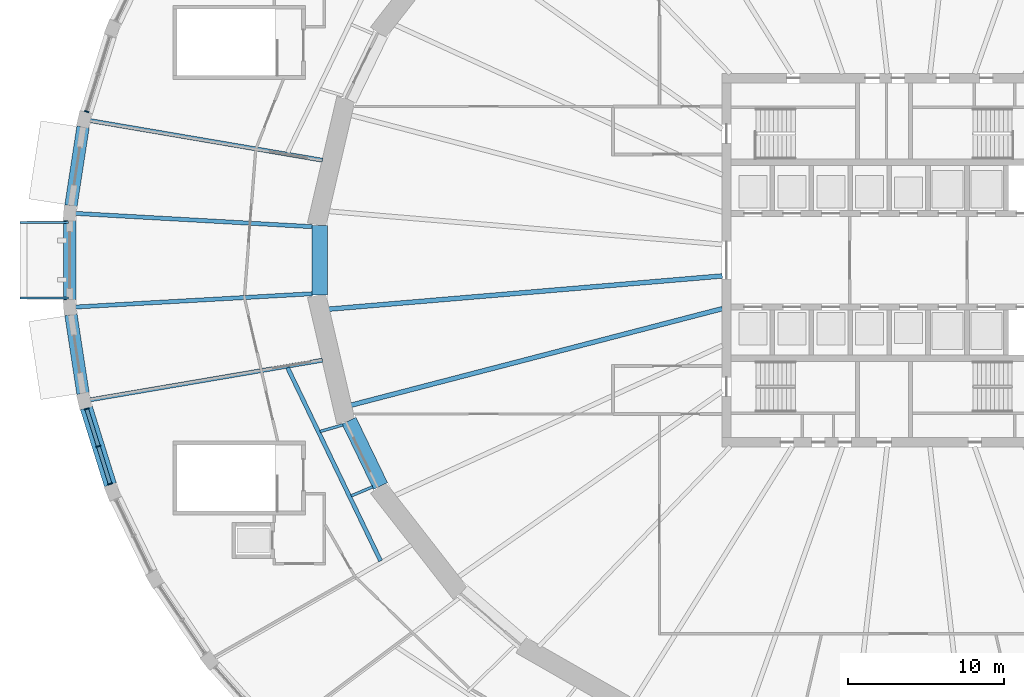
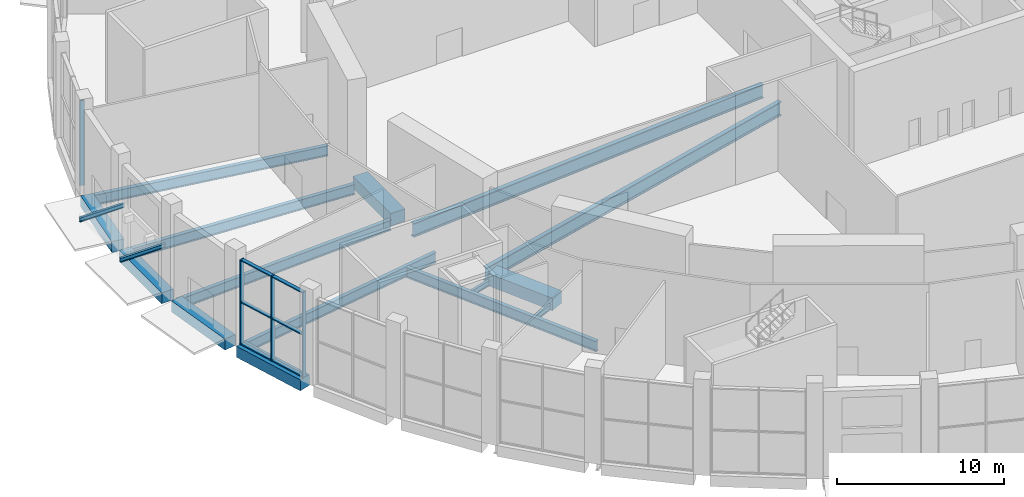
# One storey, part 4 of 33: 17 beams, 10 members, 2 elements without a shape of their own.
"""IFC4 building model written with IfcOpenShell, lengths in metres."""

from ifc_helpers import new_model, si_unit, direction, frame, origin, origin_2d, place, context, subcontext, project, spatial, rectangle, i_section, extrude, material, material_profile, profile_set, type_object, element, aggregate, save


model = new_model("IFC4")

# Units and contexts
model_context = context("Model", 3, precision=1e-05, world=origin(), true_north=direction((0.0, 1.0)))
body_context = subcontext(model_context, "Body", "Model", "MODEL_VIEW")
ifc_project = project(units=[si_unit("LENGTHUNIT", "METRE"), si_unit("AREAUNIT", "SQUARE_METRE"), si_unit("VOLUMEUNIT", "CUBIC_METRE"), si_unit("PLANEANGLEUNIT", "RADIAN"), si_unit("MASSUNIT", "GRAM", prefix="KILO")], contexts=[model_context])

# Site, building, storey
site_placement = place(None, origin())
site = spatial("IfcSite", under=ifc_project, at=site_placement, CompositionType="ELEMENT")
building_placement = place(site_placement, origin())
building = spatial("IfcBuilding", under=site, at=building_placement, Name="Halqa Exchange Tower", CompositionType="ELEMENT")
storey_placement = place(building_placement, origin())
storey = spatial("IfcBuildingStorey", under=building, at=storey_placement, Name="L00", CompositionType="ELEMENT", Elevation=0.0)

# Beams
ifc_material_1 = material(Name="Steel S355", Category="steel")
ifc_material_profile_1 = material_profile(ifc_material_1, i_section(OverallWidth=0.14990234375, OverallDepth=0.300048828125, WebThickness=0.007080078125, FlangeThickness=0.0107421875, FilletRadius=0.014892578125, at=origin_2d()), Name="IPE 300")
ifc_profile_set_1 = profile_set([ifc_material_profile_1], Name="Steel S355")
beam_type_1 = type_object("IfcBeamType", Name="Canopy beam IPE 300", PredefinedType="BEAM", material=ifc_profile_set_1)
for number, where, z_axis, x_axis, name in (
    (1, (-53.984375, 2.423095703125, 3.300048828125), (-1.0, 0.0, 0.0), (0.0, -1.0, 0.0), "Canopy beam 5.1"),
    (2, (-53.984375, -2.423095703125, 3.300048828125), (-1.0, 0.0, 0.0), (0.0, -1.0, 0.0), "Canopy beam 5.2"),
):
    element("IfcBeam", number, at=place(storey_placement, frame(where, z_axis=z_axis, x_axis=x_axis)), inside=storey, type_object=beam_type_1, Name=name, PredefinedType="BEAM", context=body_context, shape_type="SweptSolid", body=[
        extrude(i_section(OverallWidth=0.14990234375, OverallDepth=0.300048828125, WebThickness=0.007080078125, FlangeThickness=0.0107421875, FilletRadius=0.014892578125, at=origin_2d()), origin(), (0.0, 0.0, 1.0), 3.10009765625),
    ])
ifc_material_profile_2 = material_profile(ifc_material_1, i_section(OverallWidth=0.302001953125, OverallDepth=1.008056640625, WebThickness=0.02099609375, FlangeThickness=0.0400390625, FilletRadius=0.030029296875, at=origin_2d()), Name="HEM 1000")
ifc_profile_set_2 = profile_set([ifc_material_profile_2], Name="Steel S355")
beam_type_2 = type_object("IfcBeamType", Name="Floor beam HEM 1000", PredefinedType="BEAM", material=ifc_profile_set_2)
beam_1_placement = place(storey_placement, frame((-11.972412109375, -1.0107421875, -0.9541015625), z_axis=(-0.996455167327, -0.084125498561, 0.0), x_axis=(0.084125498561, -0.996455167327, 0.0)))
element("IfcBeam", 3, at=beam_1_placement, inside=storey, type_object=beam_type_2, Name="Radial beam 17", PredefinedType="BEAM", context=body_context, shape_type="SweptSolid", body=[
    extrude(i_section(OverallWidth=0.302001953125, OverallDepth=1.008056640625, WebThickness=0.02099609375, FlangeThickness=0.0400390625, FilletRadius=0.030029296875, at=origin_2d()), origin(), (0.0, 0.0, 1.0), 25.460205078125),
])
beam_2_placement = place(storey_placement, frame((-11.971435546875, -3.11279296875, -0.9541015625), z_axis=(-0.967821064299, -0.251639399735, 0.0), x_axis=(0.251639399735, -0.967821064299, 0.0)))
element("IfcBeam", 4, at=beam_2_placement, inside=storey, type_object=beam_type_2, Name="Radial beam 18", PredefinedType="BEAM", context=body_context, shape_type="SweptSolid", body=[
    extrude(i_section(OverallWidth=0.302001953125, OverallDepth=1.008056640625, WebThickness=0.02099609375, FlangeThickness=0.0400390625, FilletRadius=0.030029296875, at=origin_2d()), origin(), (0.0, 0.0, 1.0), 24.7314453125),
])
ifc_material_profile_3 = material_profile(ifc_material_1, i_section(OverallWidth=0.179931640625, OverallDepth=0.39990234375, WebThickness=0.008544921875, FlangeThickness=0.013427734375, FilletRadius=0.02099609375, at=origin_2d()), Name="IPE 400")
ifc_profile_set_3 = profile_set([ifc_material_profile_3], Name="Steel S355")
beam_type_3 = type_object("IfcBeamType", Name="Floor beam IPE 400", PredefinedType="BEAM", material=ifc_profile_set_3)
beam_3_placement = place(storey_placement, frame((-36.34521484375, -10.578369140625, -0.64990234375), z_axis=(-0.960174163417, -0.279402175917, 0.0), x_axis=(0.279402175917, -0.960174163417, 0.0)))
element("IfcBeam", 5, at=beam_3_placement, inside=storey, type_object=beam_type_3, Name="Radial beam 27a", PredefinedType="BEAM", context=body_context, shape_type="SweptSolid", body=[
    extrude(i_section(OverallWidth=0.179931640625, OverallDepth=0.39990234375, WebThickness=0.008544921875, FlangeThickness=0.013427734375, FilletRadius=0.02099609375, at=origin_2d()), origin(), (0.0, 0.0, 1.0), 1.521240234375),
])
beam_4_placement = place(storey_placement, frame((-34.423583984375, -14.555419921875, -0.64990234375), z_axis=(-0.921076708702, -0.389381171459, 0.0), x_axis=(0.389381171459, -0.921076708702, 0.0)))
element("IfcBeam", 6, at=beam_4_placement, inside=storey, type_object=beam_type_3, Name="Radial beam 28a", PredefinedType="BEAM", context=body_context, shape_type="SweptSolid", body=[
    extrude(i_section(OverallWidth=0.179931640625, OverallDepth=0.39990234375, WebThickness=0.008544921875, FlangeThickness=0.013427734375, FilletRadius=0.02099609375, at=origin_2d()), origin(), (0.0, 0.0, 1.0), 1.5078125),
])
ifc_material_profile_4 = material_profile(ifc_material_1, i_section(OverallWidth=0.264892578125, OverallDepth=0.7529296875, WebThickness=0.01318359375, FlangeThickness=0.01708984375, FilletRadius=0.01708984375, at=origin_2d()), Name="IPE 750x147")
ifc_profile_set_4 = profile_set([ifc_material_profile_4], Name="Steel S355")
beam_type_4 = type_object("IfcBeamType", Name="Floor beam IPE 750x147", PredefinedType="BEAM", material=ifc_profile_set_4)
beam_5_placement = place(storey_placement, frame((-37.654296875, 6.421875, -0.826416015625), z_axis=(-0.985764762639, 0.168130403968, 0.0), x_axis=(-0.168130403968, -0.985764762639, 0.0)))
element("IfcBeam", 7, at=beam_5_placement, inside=storey, type_object=beam_type_4, Name="Radial beam 23", PredefinedType="BEAM", context=body_context, shape_type="SweptSolid", body=[
    extrude(i_section(OverallWidth=0.264892578125, OverallDepth=0.7529296875, WebThickness=0.01318359375, FlangeThickness=0.01708984375, FilletRadius=0.01708984375, at=origin_2d()), origin(), (0.0, 0.0, 1.0), 15.156982421875),
])
for number, where, z_axis, x_axis, name in (
    (8, (-38.2880859375, 2.151611328125, -0.826416015625), (-0.998424130563, 0.056118227964, 0.0), (-0.056118227964, -0.998424130563, 0.0), "Radial beam 24"),
    (9, (-38.2880859375, -2.151611328125, -0.826416015625), (-0.998424130563, -0.056118227964, 0.0), (0.056118227964, -0.998424130563, 0.0), "Radial beam 25"),
):
    element("IfcBeam", number, at=place(storey_placement, frame(where, z_axis=z_axis, x_axis=x_axis)), inside=storey, type_object=beam_type_4, Name=name, PredefinedType="BEAM", context=body_context, shape_type="SweptSolid", body=[
        extrude(i_section(OverallWidth=0.264892578125, OverallDepth=0.7529296875, WebThickness=0.01318359375, FlangeThickness=0.01708984375, FilletRadius=0.01708984375, at=origin_2d()), origin(), (0.0, 0.0, 1.0), 15.248291015625),
    ])
beam_6_placement = place(storey_placement, frame((-37.654296875, -6.421875, -0.826416015625), z_axis=(-0.985764762639, -0.168130403968, 0.0), x_axis=(0.168130403968, -0.985764762639, 0.0)))
element("IfcBeam", 10, at=beam_6_placement, inside=storey, type_object=beam_type_4, Name="Radial beam 26", PredefinedType="BEAM", context=body_context, shape_type="SweptSolid", body=[
    extrude(i_section(OverallWidth=0.264892578125, OverallDepth=0.7529296875, WebThickness=0.01318359375, FlangeThickness=0.01708984375, FilletRadius=0.01708984375, at=origin_2d()), origin(), (0.0, 0.0, 1.0), 15.156982421875),
])
beam_7_placement = place(storey_placement, frame((-39.89306640625, -6.91015625, -0.826416015625), z_axis=(0.433856142987, -0.900982156978, 0.0), x_axis=(0.900982156978, 0.433856142987, 0.0)))
element("IfcBeam", 11, at=beam_7_placement, inside=storey, type_object=beam_type_4, Name="Radial beam TSS4-in", PredefinedType="BEAM", context=body_context, shape_type="SweptSolid", body=[
    extrude(i_section(OverallWidth=0.264892578125, OverallDepth=0.7529296875, WebThickness=0.01318359375, FlangeThickness=0.01708984375, FilletRadius=0.01708984375, at=origin_2d()), origin(), (0.0, 0.0, 1.0), 13.766357421875),
])
ifc_material_2 = material(Name="Concrete C60/75", Category="concrete")
ifc_material_profile_5 = material_profile(ifc_material_2, rectangle(XDim=0.800048828125, YDim=0.800048828125, at=origin_2d()), Name="800 x 800")
ifc_profile_set_5 = profile_set([ifc_material_profile_5], Name="Concrete C60/75")
beam_type_5 = type_object("IfcBeamType", Name="RC podium edge beam 800 x 800 C60/75", PredefinedType="SPANDREL", material=ifc_profile_set_5)
beam_8_placement = place(storey_placement, frame((-53.0341796875, 8.56591796875, -0.39990234375), z_axis=(-0.151767505705, -0.988416220128, 0.0), x_axis=(0.988416220128, -0.151767505705, 0.0)))
element("IfcBeam", 12, at=beam_8_placement, inside=storey, type_object=beam_type_5, Name="Podium edge beam 23", PredefinedType="SPANDREL", context=body_context, shape_type="SweptSolid", body=[
    extrude(rectangle(XDim=0.800048828125, YDim=0.800048828125, at=origin_2d()), origin(), (0.0, 0.0, 1.0), 5.1298828125),
])
beam_9_placement = place(storey_placement, frame((-53.884521484375, 2.5556640625, -0.39990234375), z_axis=(0.0, -1.0, 0.0), x_axis=(1.0, 0.0, 0.0)))
element("IfcBeam", 13, at=beam_9_placement, inside=storey, type_object=beam_type_5, Name="Podium edge beam 24", PredefinedType="SPANDREL", context=body_context, shape_type="SweptSolid", body=[
    extrude(rectangle(XDim=0.800048828125, YDim=0.800048828125, at=origin_2d()), origin(), (0.0, 0.0, 1.0), 5.111328125),
])
beam_10_placement = place(storey_placement, frame((-53.812744140625, -3.495361328125, -0.39990234375), z_axis=(0.151767505705, -0.988416220128, 0.0), x_axis=(0.988416220128, 0.151767505705, 0.0)))
element("IfcBeam", 14, at=beam_10_placement, inside=storey, type_object=beam_type_5, Name="Podium edge beam 25", PredefinedType="SPANDREL", context=body_context, shape_type="SweptSolid", body=[
    extrude(rectangle(XDim=0.800048828125, YDim=0.800048828125, at=origin_2d()), origin(), (0.0, 0.0, 1.0), 5.1298828125),
])
beam_11_placement = place(storey_placement, frame((-52.821044921875, -9.4853515625, -0.39990234375), z_axis=(0.298331338153, -0.954462368392, 0.0), x_axis=(0.954462368392, 0.298331338153, 0.0)))
element("IfcBeam", 15, at=beam_11_placement, inside=storey, type_object=beam_type_5, Name="Podium edge beam 26", PredefinedType="SPANDREL", context=body_context, shape_type="SweptSolid", body=[
    extrude(rectangle(XDim=0.800048828125, YDim=0.800048828125, at=origin_2d()), origin(), (0.0, 0.0, 1.0), 5.180908203125),
])
ifc_material_profile_6 = material_profile(ifc_material_2, rectangle(XDim=1.0, YDim=0.89990234375, at=origin_2d()), Name="1000 x 900")
ifc_profile_set_6 = profile_set([ifc_material_profile_6], Name="Concrete C60/75")
beam_type_6 = type_object("IfcBeamType", Name="RC spandrel beam 1000 x 900 C60/75", PredefinedType="SPANDREL", material=ifc_profile_set_6)
beam_12_placement = place(storey_placement, frame((-37.81689453125, 2.24609375, -0.449951171875), z_axis=(0.0, -1.0, 0.0), x_axis=(1.0, 0.0, 0.0)))
element("IfcBeam", 16, at=beam_12_placement, inside=storey, type_object=beam_type_6, Name="Spandrel 16", PredefinedType="SPANDREL", context=body_context, shape_type="SweptSolid", body=[
    extrude(rectangle(XDim=1.0, YDim=0.89990234375, at=origin_2d()), origin(), (0.0, 0.0, 1.0), 4.4921875),
])
beam_13_placement = place(storey_placement, frame((-35.951904296875, -10.306884765625, -0.449951171875), z_axis=(0.435068215878, -0.900397494184, 0.0), x_axis=(0.900397494184, 0.435068215878, 0.0)))
element("IfcBeam", 17, at=beam_13_placement, inside=storey, type_object=beam_type_6, Name="Spandrel 18", PredefinedType="SPANDREL", context=body_context, shape_type="SweptSolid", body=[
    extrude(rectangle(XDim=1.0, YDim=0.89990234375, at=origin_2d()), origin(), (0.0, 0.0, 1.0), 4.6630859375),
])

# Curtain wall, member
ifc_material_3 = material(Name="Anodised aluminium and clear glass", Category="aluminium")
curtain_wall_type = type_object("IfcCurtainWallType", Name="Station concourse glazing", PredefinedType="NOTDEFINED", material=ifc_material_3)
curtain_wall_1_placement = place(storey_placement, origin())
curtain_wall_1 = element("IfcCurtainWall", 18, at=curtain_wall_1_placement, inside=storey, type_object=curtain_wall_type, Name="Station concourse glazing run P22", PredefinedType="NOTDEFINED")
ifc_material_4 = material(Name="Anodised aluminium", Category="aluminium")
ifc_material_profile_7 = material_profile(ifc_material_4, rectangle(XDim=0.300048828125, YDim=0.080078125, at=origin_2d()), Name="AL 80x300")
ifc_profile_set_7 = profile_set([ifc_material_profile_7], Name="Anodised aluminium")
member_type_1 = type_object("IfcMemberType", Name="Station concourse glazing mullion 80 x 300", PredefinedType="MULLION", material=ifc_profile_set_7)
member_1_placement = place(storey_placement, frame((-52.80126953125, 9.548095703125, 0.0), z_axis=(0.0, 0.0, 1.0), x_axis=(0.95447130463, -0.298302746613, 0.0)))
member_1 = element("IfcMember", 19, at=member_1_placement, type_object=member_type_1, Name="P22 mullion 3", PredefinedType="MULLION", context=body_context, shape_type="SweptSolid", body=[
    extrude(rectangle(XDim=0.300048828125, YDim=0.080078125, at=origin_2d()), origin(), (0.0, 0.0, 1.0), 6.199951171875),
])
aggregate(curtain_wall_1, [member_1])

# Curtain wall, members
curtain_wall_2_placement = place(storey_placement, origin())
curtain_wall_2 = element("IfcCurtainWall", 20, at=curtain_wall_2_placement, inside=storey, type_object=curtain_wall_type, Name="Station concourse glazing run P26", PredefinedType="NOTDEFINED")
member_2_placement = place(storey_placement, frame((-52.80126953125, -9.548095703125, 0.0), z_axis=(0.0, 0.0, 1.0), x_axis=(0.95447130463, 0.298302746613, 0.0)))
member_2 = element("IfcMember", 21, at=member_2_placement, type_object=member_type_1, Name="P26 mullion 1", PredefinedType="MULLION", context=body_context, shape_type="SweptSolid", body=[
    extrude(rectangle(XDim=0.300048828125, YDim=0.080078125, at=origin_2d()), origin(), (0.0, 0.0, 1.0), 6.199951171875),
])
member_3_placement = place(storey_placement, frame((-52.04833984375, -11.957763671875, 0.0), z_axis=(0.0, 0.0, 1.0), x_axis=(0.95447130463, 0.298302746613, 0.0)))
member_3 = element("IfcMember", 22, at=member_3_placement, type_object=member_type_1, Name="P26 mullion 2", PredefinedType="MULLION", context=body_context, shape_type="SweptSolid", body=[
    extrude(rectangle(XDim=0.300048828125, YDim=0.080078125, at=origin_2d()), origin(), (0.0, 0.0, 1.0), 6.199951171875),
])
member_4_placement = place(storey_placement, frame((-51.295166015625, -14.3671875, 0.0), z_axis=(0.0, 0.0, 1.0), x_axis=(0.95447130463, 0.298302746613, 0.0)))
member_4 = element("IfcMember", 23, at=member_4_placement, type_object=member_type_1, Name="P26 mullion 3", PredefinedType="MULLION", context=body_context, shape_type="SweptSolid", body=[
    extrude(rectangle(XDim=0.300048828125, YDim=0.080078125, at=origin_2d()), origin(), (0.0, 0.0, 1.0), 6.199951171875),
])
ifc_material_profile_8 = material_profile(ifc_material_4, rectangle(XDim=0.25, YDim=0.080078125, at=origin_2d()), Name="AL 80x250")
ifc_profile_set_8 = profile_set([ifc_material_profile_8], Name="Anodised aluminium")
member_type_2 = type_object("IfcMemberType", Name="Station concourse glazing transom 80 x 250", PredefinedType="USERDEFINED", material=ifc_profile_set_8)
member_5_placement = place(storey_placement, frame((-52.78955078125, -9.586181640625, 0.0400390625), z_axis=(0.298314799128, -0.954467537751, 0.0), x_axis=(0.954467537751, 0.298314799128, 0.0)))
member_5 = element("IfcMember", 24, at=member_5_placement, type_object=member_type_2, Name="P26 transom 1.1", ObjectType="TRANSOM", PredefinedType="USERDEFINED", context=body_context, shape_type="SweptSolid", body=[
    extrude(rectangle(XDim=0.25, YDim=0.080078125, at=origin_2d()), origin(), (0.0, 0.0, 1.0), 2.444580078125),
])
member_6_placement = place(storey_placement, frame((-52.78955078125, -9.586181640625, 3.10009765625), z_axis=(0.298314799128, -0.954467537751, 0.0), x_axis=(0.954467537751, 0.298314799128, 0.0)))
member_6 = element("IfcMember", 25, at=member_6_placement, type_object=member_type_2, Name="P26 transom 1.2", ObjectType="TRANSOM", PredefinedType="USERDEFINED", context=body_context, shape_type="SweptSolid", body=[
    extrude(rectangle(XDim=0.25, YDim=0.080078125, at=origin_2d()), origin(), (0.0, 0.0, 1.0), 2.444580078125),
])
member_7_placement = place(storey_placement, frame((-52.78955078125, -9.586181640625, 6.159912109375), z_axis=(0.298314799128, -0.954467537751, 0.0), x_axis=(0.954467537751, 0.298314799128, 0.0)))
member_7 = element("IfcMember", 26, at=member_7_placement, type_object=member_type_2, Name="P26 transom 1.3", ObjectType="TRANSOM", PredefinedType="USERDEFINED", context=body_context, shape_type="SweptSolid", body=[
    extrude(rectangle(XDim=0.25, YDim=0.080078125, at=origin_2d()), origin(), (0.0, 0.0, 1.0), 2.444580078125),
])
member_8_placement = place(storey_placement, frame((-52.036376953125, -11.995849609375, 0.0400390625), z_axis=(0.298314799128, -0.954467537751, 0.0), x_axis=(0.954467537751, 0.298314799128, 0.0)))
member_8 = element("IfcMember", 27, at=member_8_placement, type_object=member_type_2, Name="P26 transom 2.1", ObjectType="TRANSOM", PredefinedType="USERDEFINED", context=body_context, shape_type="SweptSolid", body=[
    extrude(rectangle(XDim=0.25, YDim=0.080078125, at=origin_2d()), origin(), (0.0, 0.0, 1.0), 2.444580078125),
])
member_9_placement = place(storey_placement, frame((-52.036376953125, -11.995849609375, 3.10009765625), z_axis=(0.298314799128, -0.954467537751, 0.0), x_axis=(0.954467537751, 0.298314799128, 0.0)))
member_9 = element("IfcMember", 28, at=member_9_placement, type_object=member_type_2, Name="P26 transom 2.2", ObjectType="TRANSOM", PredefinedType="USERDEFINED", context=body_context, shape_type="SweptSolid", body=[
    extrude(rectangle(XDim=0.25, YDim=0.080078125, at=origin_2d()), origin(), (0.0, 0.0, 1.0), 2.444580078125),
])
member_10_placement = place(storey_placement, frame((-52.036376953125, -11.995849609375, 6.159912109375), z_axis=(0.298314799128, -0.954467537751, 0.0), x_axis=(0.954467537751, 0.298314799128, 0.0)))
member_10 = element("IfcMember", 29, at=member_10_placement, type_object=member_type_2, Name="P26 transom 2.3", ObjectType="TRANSOM", PredefinedType="USERDEFINED", context=body_context, shape_type="SweptSolid", body=[
    extrude(rectangle(XDim=0.25, YDim=0.080078125, at=origin_2d()), origin(), (0.0, 0.0, 1.0), 2.444580078125),
])
aggregate(curtain_wall_2, [member_2, member_3, member_4, member_5, member_6, member_7, member_8, member_9, member_10])

save(model, "model.ifc")
